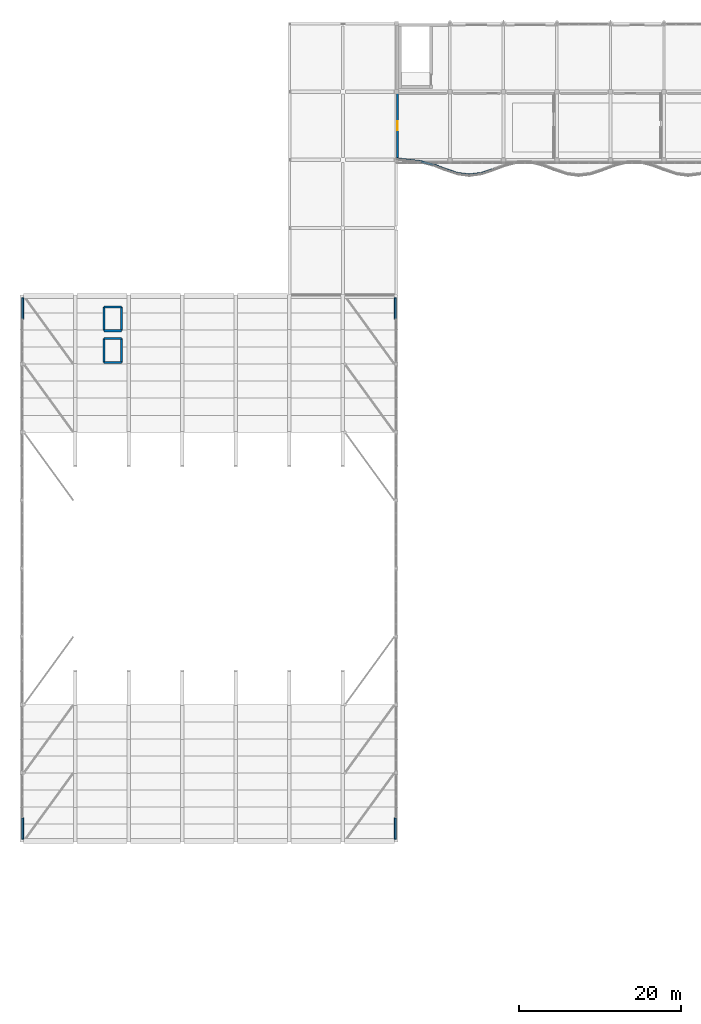
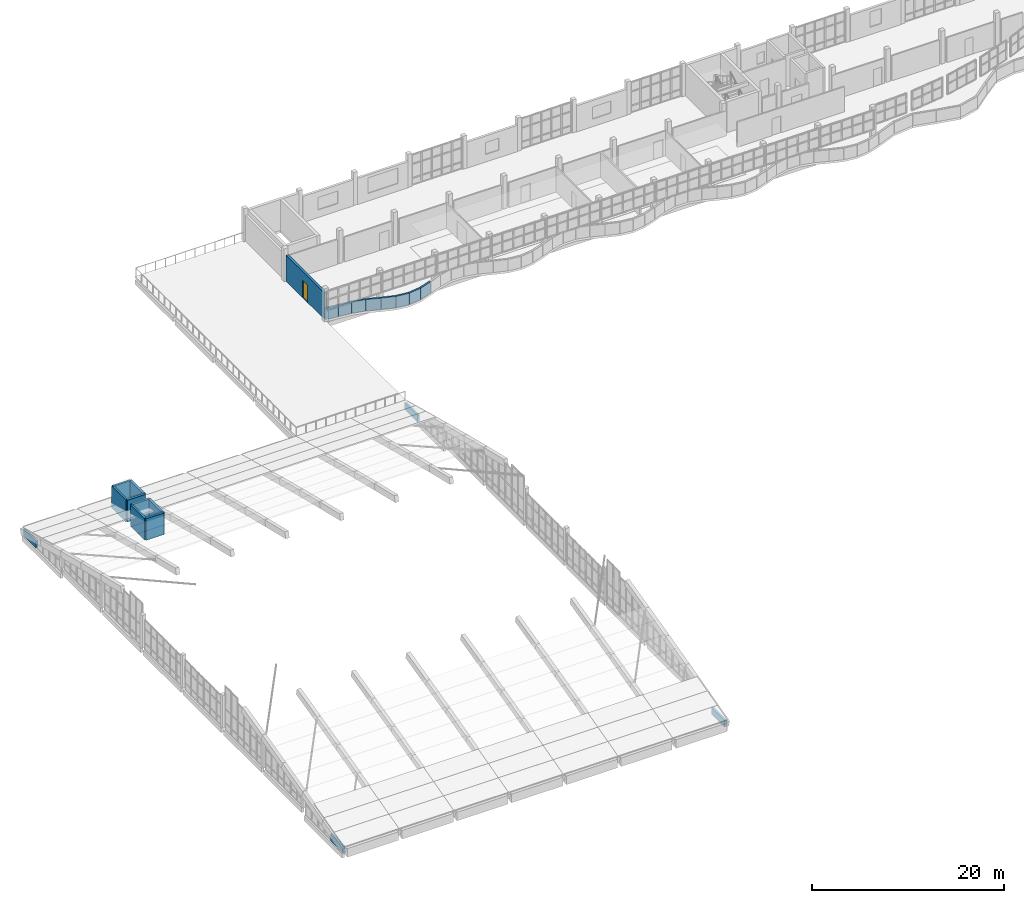
# One storey, part 57 of 78: 21 walls, 1 door, 1 opening.
"""IFC4 building model written with IfcOpenShell, lengths in metres."""

from ifc_helpers import new_model, si_unit, direction, frame, frame_2d, origin, place, context, subcontext, project, spatial, rectangle, extrude, material, layer, layer_set, type_object, element, fill, save


model = new_model("IFC4")

# Units and contexts
model_context = context("Model", 3, precision=1e-05, world=origin(), true_north=direction((0.0, 1.0)))
body_context = subcontext(model_context, "Body", "Model", "MODEL_VIEW")
ifc_project = project(units=[si_unit("LENGTHUNIT", "METRE"), si_unit("AREAUNIT", "SQUARE_METRE"), si_unit("VOLUMEUNIT", "CUBIC_METRE"), si_unit("PLANEANGLEUNIT", "RADIAN"), si_unit("MASSUNIT", "GRAM", prefix="KILO")], contexts=[model_context])

# Site, building, storey
site_placement = place(None, origin())
site = spatial("IfcSite", under=ifc_project, at=site_placement, CompositionType="ELEMENT")
building_placement = place(site_placement, origin())
building = spatial("IfcBuilding", under=site, at=building_placement, Name="Qaldarim Faculty of Natural and Applied Sciences", CompositionType="ELEMENT")
storey_placement = place(building_placement, frame((0.0, 0.0, 18.60009765625)))
storey = spatial("IfcBuildingStorey", under=building, at=storey_placement, Name="L04", CompositionType="ELEMENT", Elevation=18.60009765625)

# Walls
ifc_material_1 = material(Name="Precast concrete C40/50", Category="concrete")
ifc_layer_1 = layer(ifc_material_1, 0.239990234375)
ifc_layer_set_1 = layer_set([ifc_layer_1], Name="Precast concrete C40/50")
wall_type_1 = type_object("IfcWallType", Name="ExteriorInsulatedWall-240", PredefinedType="SOLIDWALL", material=ifc_layer_set_1)
for number, where, z_axis, x_axis, name in (
    (1, (0.1201171875, 19.6650390625, -0.97998046875), (0.0, 0.0, 1.0), (0.0, -1.0, 0.0), "Shell gable precast tympanum spandrel W Y03-1"),
    (2, (0.1201171875, 83.77001953125, -0.97998046875), (0.0, 0.0, 1.0), (0.0, -1.0, 0.0), "Shell gable precast tympanum spandrel W Y10-3"),
    (3, (46.080078125, 17.030029296875, -0.97998046875), (0.0, 0.0, 1.0), (0.0, 1.0, 0.0), "Shell gable precast tympanum spandrel E Y03-1"),
    (4, (46.080078125, 81.135009765625, -0.97998046875), (0.0, 0.0, 1.0), (0.0, 1.0, 0.0), "Shell gable precast tympanum spandrel E Y10-3"),
):
    element("IfcWall", number, at=place(storey_placement, frame(where, z_axis=z_axis, x_axis=x_axis)), inside=storey, type_object=wall_type_1, Name=name, PredefinedType="SOLIDWALL", context=body_context, shape_type="SweptSolid", body=[
        extrude(rectangle(XDim=2.635009765625, YDim=0.239990234375, at=frame_2d((1.3173828125, 0.0))), origin(), (0.0, 0.0, 1.0), 0.849853515625),
    ])

# Wall, opening, door
ifc_layer_2 = layer(ifc_material_1, 0.280029296875)
ifc_layer_set_2 = layer_set([ifc_layer_2], Name="Precast concrete C40/50")
wall_type_2 = type_object("IfcWallType", Name="ExteriorSpandrelWall-280", PredefinedType="SOLIDWALL", material=ifc_layer_set_2)
wall_1_placement = place(storey_placement, frame((46.340087890625, 108.955078125, 0.0), z_axis=(0.0, 0.0, 1.0), x_axis=(0.0, -1.0, 0.0)))
wall_1 = element("IfcWall", 5, at=wall_1_placement, inside=storey, type_object=wall_type_2, Name="Exterior wall EW02 L04 W X08Y13", PredefinedType="SOLIDWALL", context=body_context, shape_type="SweptSolid", body=[
    extrude(rectangle(XDim=7.91015625, YDim=0.280029296875, at=frame_2d((3.955078125, 0.0))), origin(), (0.0, 0.0, 1.0), 3.324951171875),
])
opening_placement = place(wall_1_placement, frame((3.405029296875, 0.0, 0.0)))
opening = element("IfcOpeningElement", 6, at=opening_placement, cuts=wall_1, Name="Opening ED03", PredefinedType="OPENING", context=body_context, shape_type="SweptSolid", body=[
    extrude(rectangle(XDim=1.10009765625, YDim=2.199951171875, at=frame_2d((0.550048828125, 1.10009765625))), frame((0.0, 0.14990234375, 0.0), z_axis=(0.0, -1.0, 0.0), x_axis=(1.0, 0.0, 0.0)), (0.0, 0.0, 1.0), 0.300048828125),
])
ifc_material_2 = material(Name="Anodised aluminium AW-6063", Category="aluminium")
door_type = type_object("IfcDoorType", Name="TerraceAccessDoor-1100x2200", OperationType="NOTDEFINED", PredefinedType="DOOR", material=ifc_material_2)
door_placement = place(opening_placement, frame((1.10009765625, 0.0, 0.0), z_axis=(0.0, 0.0, 1.0), x_axis=(-1.0, 0.0, 0.0)))
door = element("IfcDoor", 7, at=door_placement, inside=storey, type_object=door_type, Name="Terrace access door D-L04-025", OperationType="SINGLE_SWING_RIGHT", OverallHeight=2.199951171875, OverallWidth=1.10009765625, PredefinedType="DOOR", context=body_context, shape_type="SweptSolid", body=[
    extrude(rectangle(XDim=1.10009765625, YDim=2.199951171875, at=frame_2d((0.550048828125, 1.10009765625))), frame((0.0, 0.02490234375, 0.0), z_axis=(0.0, -1.0, 0.0), x_axis=(1.0, 0.0, 0.0)), (0.0, 0.0, 1.0), 0.050048828125),
])
fill(opening, door)

# Walls
ifc_material_3 = material(Name="Concrete C40/50", Category="concrete")
ifc_layer_3 = layer(ifc_material_3, 0.25)
ifc_layer_set_3 = layer_set([ifc_layer_3], Name="Concrete C40/50")
wall_type_3 = type_object("IfcWallType", Name="LiftShaftWall-250", PredefinedType="SHEAR", material=ifc_layer_set_3)
for number, where, z_axis, x_axis, name in (
    (8, (10.125, 75.824951171875, -0.260009765625), (0.0, 0.0, 1.0), (0.0, 1.0, 0.0), "Lift LF-D1 overrun wall W"),
    (9, (12.27490234375, 75.824951171875, -0.260009765625), (0.0, 0.0, 1.0), (0.0, 1.0, 0.0), "Lift LF-D1 overrun wall E"),
):
    element("IfcWall", number, at=place(storey_placement, frame(where, z_axis=z_axis, x_axis=x_axis)), inside=storey, type_object=wall_type_3, Name=name, PredefinedType="SHEAR", context=body_context, shape_type="SweptSolid", body=[
        extrude(rectangle(XDim=2.949951171875, YDim=0.25, at=frame_2d((1.47509765625, 0.0))), origin(), (0.0, 0.0, 1.0), 2.760009765625),
    ])
for number, where, z_axis, x_axis, name in (
    (10, (10.125, 75.824951171875, -0.260009765625), (0.0, 0.0, 1.0), (1.0, 0.0, 0.0), "Lift LF-D1 overrun wall S"),
    (11, (10.125, 78.77490234375, -0.260009765625), (0.0, 0.0, 1.0), (1.0, 0.0, 0.0), "Lift LF-D1 overrun wall N"),
):
    element("IfcWall", number, at=place(storey_placement, frame(where, z_axis=z_axis, x_axis=x_axis)), inside=storey, type_object=wall_type_3, Name=name, PredefinedType="SHEAR", context=body_context, shape_type="SweptSolid", body=[
        extrude(rectangle(XDim=2.14990234375, YDim=0.25, at=frame_2d((1.074951171875, 0.0))), origin(), (0.0, 0.0, 1.0), 2.760009765625),
    ])
for number, where, z_axis, x_axis, name in (
    (12, (10.125, 79.72509765625, -0.260009765625), (0.0, 0.0, 1.0), (0.0, 1.0, 0.0), "Lift LF-D2 overrun wall W"),
    (13, (12.27490234375, 79.72509765625, -0.260009765625), (0.0, 0.0, 1.0), (0.0, 1.0, 0.0), "Lift LF-D2 overrun wall E"),
):
    element("IfcWall", number, at=place(storey_placement, frame(where, z_axis=z_axis, x_axis=x_axis)), inside=storey, type_object=wall_type_3, Name=name, PredefinedType="SHEAR", context=body_context, shape_type="SweptSolid", body=[
        extrude(rectangle(XDim=2.949951171875, YDim=0.25, at=frame_2d((1.47509765625, 0.0))), origin(), (0.0, 0.0, 1.0), 2.760009765625),
    ])
for number, where, z_axis, x_axis, name in (
    (14, (10.125, 79.72509765625, -0.260009765625), (0.0, 0.0, 1.0), (1.0, 0.0, 0.0), "Lift LF-D2 overrun wall S"),
    (15, (10.125, 82.675048828125, -0.260009765625), (0.0, 0.0, 1.0), (1.0, 0.0, 0.0), "Lift LF-D2 overrun wall N"),
):
    element("IfcWall", number, at=place(storey_placement, frame(where, z_axis=z_axis, x_axis=x_axis)), inside=storey, type_object=wall_type_3, Name=name, PredefinedType="SHEAR", context=body_context, shape_type="SweptSolid", body=[
        extrude(rectangle(XDim=2.14990234375, YDim=0.25, at=frame_2d((1.074951171875, 0.0))), origin(), (0.0, 0.0, 1.0), 2.760009765625),
    ])
ifc_material_4 = material(Name="White architectural precast concrete C40/50", Category="concrete")
ifc_layer_4 = layer(ifc_material_4, 0.219970703125)
ifc_layer_set_4 = layer_set([ifc_layer_4], Name="White architectural precast concrete C40/50")
wall_type_4 = type_object("IfcWallType", Name="WhitePrecastWaveBand-220", PredefinedType="SOLIDWALL", material=ifc_layer_set_4)
for number, where, z_axis, x_axis, name in (
    (16, (46.215087890625, 100.93994140625, 0.0), (0.0, 0.0, 1.0), (0.993259417085, -0.11591259799, 0.0), "White precast wave spandrel band L04 chord 01"),
    (17, (47.715087890625, 100.764892578125, 0.0), (0.0, 0.0, 1.0), (0.993278017132, -0.115753102257, 0.0), "White precast wave spandrel band L04 chord 02"),
):
    element("IfcWall", number, at=place(storey_placement, frame(where, z_axis=z_axis, x_axis=x_axis)), inside=storey, type_object=wall_type_4, Name=name, PredefinedType="SOLIDWALL", context=body_context, shape_type="SweptSolid", body=[
        extrude(rectangle(XDim=1.51025390625, YDim=0.219970703125, at=frame_2d((0.755126953125, 0.0))), origin(), (0.0, 0.0, 1.0), 1.449951171875),
    ])
wall_2_placement = place(storey_placement, frame((49.235107421875, 100.5849609375, 0.0), z_axis=(0.0, 0.0, 1.0), x_axis=(0.970918311966, -0.239411009542, 0.0)))
element("IfcWall", 18, at=wall_2_placement, inside=storey, type_object=wall_type_4, Name="White precast wave spandrel band L04 chord 03", PredefinedType="SOLIDWALL", context=body_context, shape_type="SweptSolid", body=[
    extrude(rectangle(XDim=1.544921875, YDim=0.219970703125, at=frame_2d((0.7724609375, 0.0))), origin(), (0.0, 0.0, 1.0), 1.449951171875),
])
wall_3_placement = place(storey_placement, frame((50.75, 100.2099609375, 0.0), z_axis=(0.0, 0.0, 1.0), x_axis=(0.933756275822, -0.35790951002, 0.0)))
element("IfcWall", 19, at=wall_3_placement, inside=storey, type_object=wall_type_4, Name="White precast wave spandrel band L04 chord 04", PredefinedType="SOLIDWALL", context=body_context, shape_type="SweptSolid", body=[
    extrude(rectangle(XDim=1.6064453125, YDim=0.219970703125, at=frame_2d((0.80322265625, 0.0))), origin(), (0.0, 0.0, 1.0), 1.449951171875),
])
wall_4_placement = place(storey_placement, frame((52.2451171875, 99.639892578125, 0.0), z_axis=(0.0, 0.0, 1.0), x_axis=(0.947753693993, -0.31900303372, 0.0)))
element("IfcWall", 20, at=wall_4_placement, inside=storey, type_object=wall_type_4, Name="White precast wave spandrel band L04 chord 05", PredefinedType="SOLIDWALL", context=body_context, shape_type="SweptSolid", body=[
    extrude(rectangle(XDim=1.582763671875, YDim=0.219970703125, at=frame_2d((0.79150390625, 0.0))), origin(), (0.0, 0.0, 1.0), 1.449951171875),
])
wall_5_placement = place(storey_placement, frame((53.719970703125, 99.139892578125, 0.0), z_axis=(0.0, 0.0, 1.0), x_axis=(0.99123212725, -0.132132016963, 0.0)))
element("IfcWall", 21, at=wall_5_placement, inside=storey, type_object=wall_type_4, Name="White precast wave spandrel band L04 chord 06", PredefinedType="SOLIDWALL", context=body_context, shape_type="SweptSolid", body=[
    extrude(rectangle(XDim=1.51318359375, YDim=0.219970703125, at=frame_2d((0.756591796875, 0.0))), origin(), (0.0, 0.0, 1.0), 1.449951171875),
])
wall_6_placement = place(storey_placement, frame((55.179931640625, 98.93994140625, 0.0), z_axis=(0.0, 0.0, 1.0), x_axis=(0.991649838976, 0.128959671442, 0.0)))
element("IfcWall", 22, at=wall_6_placement, inside=storey, type_object=wall_type_4, Name="White precast wave spandrel band L04 chord 07", PredefinedType="SOLIDWALL", context=body_context, shape_type="SweptSolid", body=[
    extrude(rectangle(XDim=1.5126953125, YDim=0.219970703125, at=frame_2d((0.75634765625, 0.0))), origin(), (0.0, 0.0, 1.0), 1.449951171875),
])
wall_7_placement = place(storey_placement, frame((56.655029296875, 99.1298828125, 0.0), z_axis=(0.0, 0.0, 1.0), x_axis=(0.947707048734, 0.319141582655, 0.0)))
element("IfcWall", 23, at=wall_7_placement, inside=storey, type_object=wall_type_4, Name="White precast wave spandrel band L04 chord 08", PredefinedType="SOLIDWALL", context=body_context, shape_type="SweptSolid", body=[
    extrude(rectangle(XDim=1.582763671875, YDim=0.219970703125, at=frame_2d((0.79150390625, 0.0))), origin(), (0.0, 0.0, 1.0), 1.449951171875),
])

save(model, "model.ifc")
